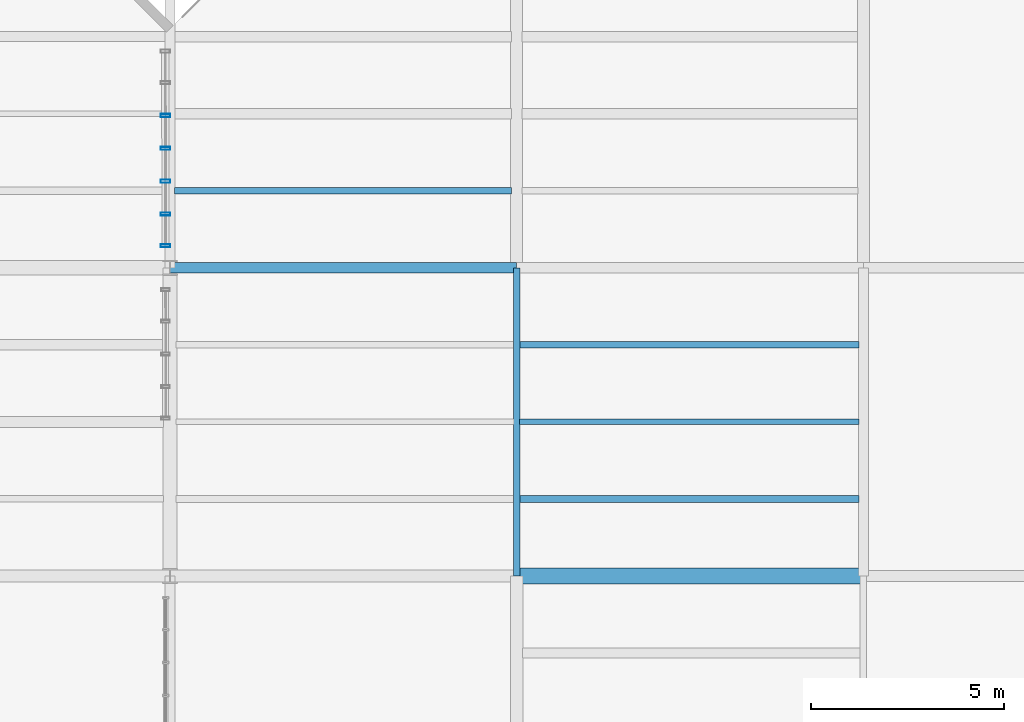
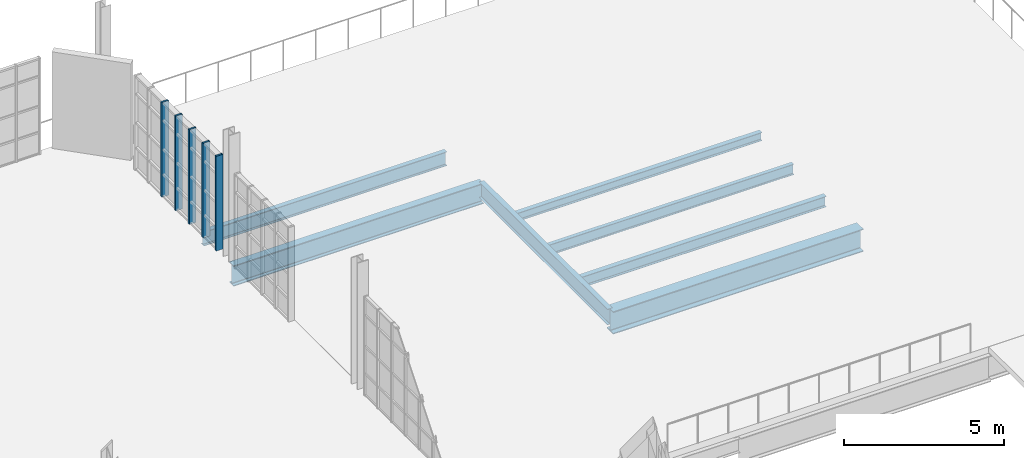
# One storey, part 53 of 85: 7 beams, 5 members, 1 element without a shape of its own.
"""IFC4 building model written with IfcOpenShell, lengths in metres."""

from ifc_helpers import new_model, si_unit, direction, frame, origin, origin_2d, place, context, subcontext, project, spatial, hollow_rectangle, i_section, extrude, material, layer, layer_set, material_profile, profile_set, type_object, element, aggregate, save


model = new_model("IFC4")

# Units and contexts
model_context = context("Model", 3, precision=1e-05, world=origin(), true_north=direction((0.0, 1.0)))
body_context = subcontext(model_context, "Body", "Model", "MODEL_VIEW")
ifc_project = project(units=[si_unit("LENGTHUNIT", "METRE"), si_unit("AREAUNIT", "SQUARE_METRE"), si_unit("VOLUMEUNIT", "CUBIC_METRE"), si_unit("PLANEANGLEUNIT", "RADIAN"), si_unit("MASSUNIT", "GRAM", prefix="KILO"), si_unit("THERMODYNAMICTEMPERATUREUNIT", "KELVIN"), si_unit("POWERUNIT", "WATT")], contexts=[model_context])

# Site, building, storey
site_placement = place(None, origin())
site = spatial("IfcSite", under=ifc_project, at=site_placement, CompositionType="ELEMENT")
building_placement = place(site_placement, origin())
building = spatial("IfcBuilding", under=site, at=building_placement, Name="Zelmaris Science Centre", CompositionType="ELEMENT")
storey_placement = place(building_placement, frame((0.0, 0.0, 20.39990234375)))
storey = spatial("IfcBuildingStorey", under=building, at=storey_placement, Name="L04", CompositionType="ELEMENT", Elevation=20.39990234375)

# Curtain wall, members
ifc_material_1 = material(Name="Anodised architectural aluminium 6063-T6", Category="aluminium")
ifc_layer = layer(ifc_material_1, 0.18994140625, Name="Anodised architectural aluminium 6063-T6")
ifc_layer_set = layer_set([ifc_layer], Name="Anodised architectural aluminium 6063-T6")
curtain_wall_type = type_object("IfcCurtainWallType", Name="Curtain Wall CW-01", PredefinedType="USERDEFINED", material=ifc_layer_set)
curtain_wall_placement = place(storey_placement, origin())
curtain_wall = element("IfcCurtainWall", 1, at=curtain_wall_placement, inside=storey, type_object=curtain_wall_type, Name="L04 Unitised curtain wall 345", ObjectType="GLAZED CURTAIN WALL", PredefinedType="USERDEFINED")
ifc_material_profile_1 = material_profile(ifc_material_1, hollow_rectangle(XDim=0.080078125, YDim=0.25, WallThickness=0.0048828125, at=origin_2d()), Name="ALU-MUL-80X250")
ifc_profile_set_1 = profile_set([ifc_material_profile_1], Name="Anodised architectural aluminium 6063-T6")
member_type = type_object("IfcMemberType", Name="ALU-MUL-80X250", PredefinedType="MULLION", material=ifc_profile_set_1)
member_1_placement = place(storey_placement, frame((80.881591796875, 83.953125, -0.014892578125), z_axis=(0.0, 0.0, 1.0), x_axis=(0.000771435453, -0.999999702444, 0.0)))
member_1 = element("IfcMember", 2, at=member_1_placement, type_object=member_type, Name="CW-01 mullion 3", PredefinedType="MULLION", context=body_context, shape_type="SweptSolid", body=[
    extrude(hollow_rectangle(XDim=0.080078125, YDim=0.25, WallThickness=0.0048828125, at=origin_2d()), origin(), (0.0, 0.0, 1.0), 3.60302734375),
])
member_2_placement = place(storey_placement, frame((80.88232421875, 83.099853515625, -0.014892578125), z_axis=(0.0, 0.0, 1.0), x_axis=(0.000771435453, -0.999999702444, 0.0)))
member_2 = element("IfcMember", 3, at=member_2_placement, type_object=member_type, Name="CW-01 mullion 4", PredefinedType="MULLION", context=body_context, shape_type="SweptSolid", body=[
    extrude(hollow_rectangle(XDim=0.080078125, YDim=0.25, WallThickness=0.0048828125, at=origin_2d()), origin(), (0.0, 0.0, 1.0), 3.60302734375),
])
member_3_placement = place(storey_placement, frame((80.883056640625, 82.24658203125, -0.014892578125), z_axis=(0.0, 0.0, 1.0), x_axis=(0.000771435453, -0.999999702444, 0.0)))
member_3 = element("IfcMember", 4, at=member_3_placement, type_object=member_type, Name="CW-01 mullion 5", PredefinedType="MULLION", context=body_context, shape_type="SweptSolid", body=[
    extrude(hollow_rectangle(XDim=0.080078125, YDim=0.25, WallThickness=0.0048828125, at=origin_2d()), origin(), (0.0, 0.0, 1.0), 3.60302734375),
])
member_4_placement = place(storey_placement, frame((80.883544921875, 81.393310546875, -0.014892578125), z_axis=(0.0, 0.0, 1.0), x_axis=(0.000771435453, -0.999999702444, 0.0)))
member_4 = element("IfcMember", 5, at=member_4_placement, type_object=member_type, Name="CW-01 mullion 6", PredefinedType="MULLION", context=body_context, shape_type="SweptSolid", body=[
    extrude(hollow_rectangle(XDim=0.080078125, YDim=0.25, WallThickness=0.0048828125, at=origin_2d()), origin(), (0.0, 0.0, 1.0), 3.60302734375),
])
member_5_placement = place(storey_placement, frame((80.88427734375, 80.575927734375, -0.014892578125), z_axis=(0.0, 0.0, 1.0), x_axis=(0.000771435453, -0.999999702444, 0.0)))
member_5 = element("IfcMember", 6, at=member_5_placement, type_object=member_type, Name="CW-01 mullion 7", PredefinedType="MULLION", context=body_context, shape_type="SweptSolid", body=[
    extrude(hollow_rectangle(XDim=0.080078125, YDim=0.25, WallThickness=0.0048828125, at=origin_2d()), origin(), (0.0, 0.0, 1.0), 3.60302734375),
])
aggregate(curtain_wall, [member_1, member_2, member_3, member_4, member_5])

# Beams
ifc_material_2 = material(Name="Steel ASTM A992 Grade 50", Category="steel")
ifc_material_profile_2 = material_profile(ifc_material_2, i_section(OverallWidth=0.404052734375, OverallDepth=0.861083984375, WebThickness=0.019775390625, FlangeThickness=0.032470703125, FilletRadius=0.02001953125, at=origin_2d()), Name="W33X221")
ifc_profile_set_2 = profile_set([ifc_material_profile_2], Name="Steel ASTM A992 Grade 50")
beam_type_1 = type_object("IfcBeamType", Name="Beam G-28 W33X221", PredefinedType="BEAM", material=ifc_profile_set_2)
beam_1_placement = place(storey_placement, frame((90.0, 72.0, -0.680419921875), z_axis=(1.0, 0.0, 0.0), x_axis=(0.0, 1.0, 0.0)))
element("IfcBeam", 7, at=beam_1_placement, inside=storey, type_object=beam_type_1, Name="L04 East-west girder 854", PredefinedType="BEAM", context=body_context, shape_type="SweptSolid", body=[
    extrude(i_section(OverallWidth=0.404052734375, OverallDepth=0.861083984375, WebThickness=0.019775390625, FlangeThickness=0.032470703125, FilletRadius=0.02001953125, at=origin_2d()), origin(), (0.0, 0.0, 1.0), 9.0),
])
ifc_material_profile_3 = material_profile(ifc_material_2, i_section(OverallWidth=0.26708984375, OverallDepth=0.780029296875, WebThickness=0.0166015625, FlangeThickness=0.030029296875, FilletRadius=0.01904296875, at=origin_2d()), Name="W30X148")
ifc_profile_set_3 = profile_set([ifc_material_profile_3], Name="Steel ASTM A992 Grade 50")
beam_type_2 = type_object("IfcBeamType", Name="Beam G-32 W30X148", PredefinedType="BEAM", material=ifc_profile_set_3)
beam_2_placement = place(storey_placement, frame((81.0, 80.0, -0.639892578125), z_axis=(1.0, 0.0, 0.0), x_axis=(0.0, 1.0, 0.0)))
element("IfcBeam", 8, at=beam_2_placement, inside=storey, type_object=beam_type_2, Name="L04 East-west girder 858", PredefinedType="BEAM", context=body_context, shape_type="SweptSolid", body=[
    extrude(i_section(OverallWidth=0.26708984375, OverallDepth=0.780029296875, WebThickness=0.0166015625, FlangeThickness=0.030029296875, FilletRadius=0.01904296875, at=origin_2d()), origin(), (0.0, 0.0, 1.0), 9.0),
])
ifc_material_profile_4 = material_profile(ifc_material_2, i_section(OverallWidth=0.177978515625, OverallDepth=0.59912109375, WebThickness=0.010009765625, FlangeThickness=0.0126953125, FilletRadius=0.014892578125, at=origin_2d()), Name="W24X55")
ifc_profile_set_4 = profile_set([ifc_material_profile_4], Name="Steel ASTM A992 Grade 50")
beam_type_3 = type_object("IfcBeamType", Name="Beam G-38 W24X55", PredefinedType="BEAM", material=ifc_profile_set_4)
beam_3_placement = place(storey_placement, frame((90.0, 72.0, -0.54931640625), z_axis=(0.0, 1.0, 0.0), x_axis=(-1.0, 0.0, 0.0)))
element("IfcBeam", 9, at=beam_3_placement, inside=storey, type_object=beam_type_3, Name="L04 North-south girder 833", PredefinedType="BEAM", context=body_context, shape_type="SweptSolid", body=[
    extrude(i_section(OverallWidth=0.177978515625, OverallDepth=0.59912109375, WebThickness=0.010009765625, FlangeThickness=0.0126953125, FilletRadius=0.014892578125, at=origin_2d()), origin(), (0.0, 0.0, 1.0), 8.0),
])
ifc_material_profile_5 = material_profile(ifc_material_2, i_section(OverallWidth=0.16796875, OverallDepth=0.532958984375, WebThickness=0.01025390625, FlangeThickness=0.0166015625, FilletRadius=0.013916015625, at=origin_2d()), Name="W21X57")
ifc_profile_set_5 = profile_set([ifc_material_profile_5], Name="Steel ASTM A992 Grade 50")
beam_type_4 = type_object("IfcBeamType", Name="Beam J-01 W21X57", PredefinedType="JOIST", material=ifc_profile_set_5)
beam_4_placement = place(storey_placement, frame((81.112060546875, 82.0, -0.516357421875), z_axis=(1.0, 0.0, 0.0), x_axis=(0.0, 1.0, 0.0)))
element("IfcBeam", 10, at=beam_4_placement, inside=storey, type_object=beam_type_4, Name="L04 Composite floor joist 405", PredefinedType="JOIST", context=body_context, shape_type="SweptSolid", body=[
    extrude(i_section(OverallWidth=0.16796875, OverallDepth=0.532958984375, WebThickness=0.01025390625, FlangeThickness=0.0166015625, FilletRadius=0.013916015625, at=origin_2d()), origin(), (0.0, 0.0, 1.0), 8.746826171875),
])
ifc_material_profile_6 = material_profile(ifc_material_2, i_section(OverallWidth=0.177978515625, OverallDepth=0.408935546875, WebThickness=0.0087890625, FlangeThickness=0.014404296875, FilletRadius=0.011962890625, at=origin_2d()), Name="W16X45")
ifc_profile_set_6 = profile_set([ifc_material_profile_6], Name="Steel ASTM A992 Grade 50")
beam_type_5 = type_object("IfcBeamType", Name="Beam J-07 W16X45", PredefinedType="JOIST", material=ifc_profile_set_6)
beam_5_placement = place(storey_placement, frame((90.073974609375, 74.0, -0.454345703125), z_axis=(1.0, 0.0, 0.0), x_axis=(0.0, 1.0, 0.0)))
element("IfcBeam", 11, at=beam_5_placement, inside=storey, type_object=beam_type_5, Name="L04 Composite floor joist 411", PredefinedType="JOIST", context=body_context, shape_type="SweptSolid", body=[
    extrude(i_section(OverallWidth=0.177978515625, OverallDepth=0.408935546875, WebThickness=0.0087890625, FlangeThickness=0.014404296875, FilletRadius=0.011962890625, at=origin_2d()), origin(), (0.0, 0.0, 1.0), 8.81396484375),
])
ifc_material_profile_7 = material_profile(ifc_material_2, i_section(OverallWidth=0.139892578125, OverallDepth=0.404052734375, WebThickness=0.007080078125, FlangeThickness=0.01123046875, FilletRadius=0.011962890625, at=origin_2d()), Name="W16X31")
ifc_profile_set_7 = profile_set([ifc_material_profile_7], Name="Steel ASTM A992 Grade 50")
beam_type_6 = type_object("IfcBeamType", Name="Beam J-08 W16X31", PredefinedType="JOIST", material=ifc_profile_set_7)
beam_6_placement = place(storey_placement, frame((90.073974609375, 76.0, -0.451904296875), z_axis=(1.0, 0.0, 0.0), x_axis=(0.0, 1.0, 0.0)))
element("IfcBeam", 12, at=beam_6_placement, inside=storey, type_object=beam_type_6, Name="L04 Composite floor joist 412", PredefinedType="JOIST", context=body_context, shape_type="SweptSolid", body=[
    extrude(i_section(OverallWidth=0.139892578125, OverallDepth=0.404052734375, WebThickness=0.007080078125, FlangeThickness=0.01123046875, FilletRadius=0.011962890625, at=origin_2d()), origin(), (0.0, 0.0, 1.0), 8.81396484375),
])
ifc_material_profile_8 = material_profile(ifc_material_2, i_section(OverallWidth=0.1669921875, OverallDepth=0.318115234375, WebThickness=0.007568359375, FlangeThickness=0.01318359375, FilletRadius=0.011962890625, at=origin_2d()), Name="W12X35")
ifc_profile_set_8 = profile_set([ifc_material_profile_8], Name="Steel ASTM A992 Grade 50")
beam_type_7 = type_object("IfcBeamType", Name="Beam J-09 W12X35", PredefinedType="JOIST", material=ifc_profile_set_8)
beam_7_placement = place(storey_placement, frame((90.073974609375, 78.0, -0.408935546875), z_axis=(1.0, 0.0, 0.0), x_axis=(0.0, 1.0, 0.0)))
element("IfcBeam", 13, at=beam_7_placement, inside=storey, type_object=beam_type_7, Name="L04 Composite floor joist 413", PredefinedType="JOIST", context=body_context, shape_type="SweptSolid", body=[
    extrude(i_section(OverallWidth=0.1669921875, OverallDepth=0.318115234375, WebThickness=0.007568359375, FlangeThickness=0.01318359375, FilletRadius=0.011962890625, at=origin_2d()), origin(), (0.0, 0.0, 1.0), 8.81396484375),
])

save(model, "model.ifc")
